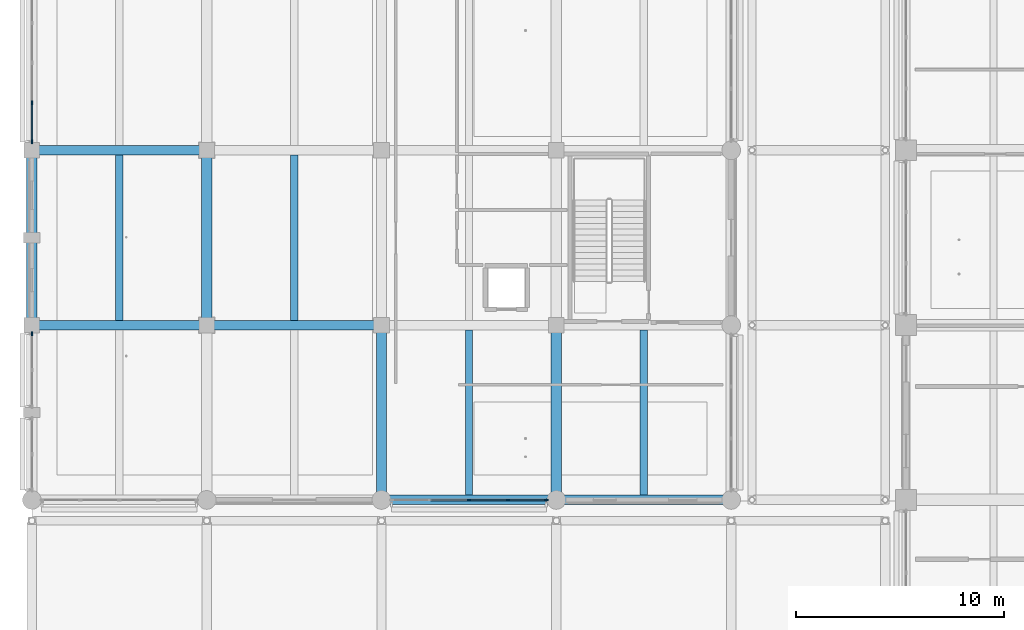
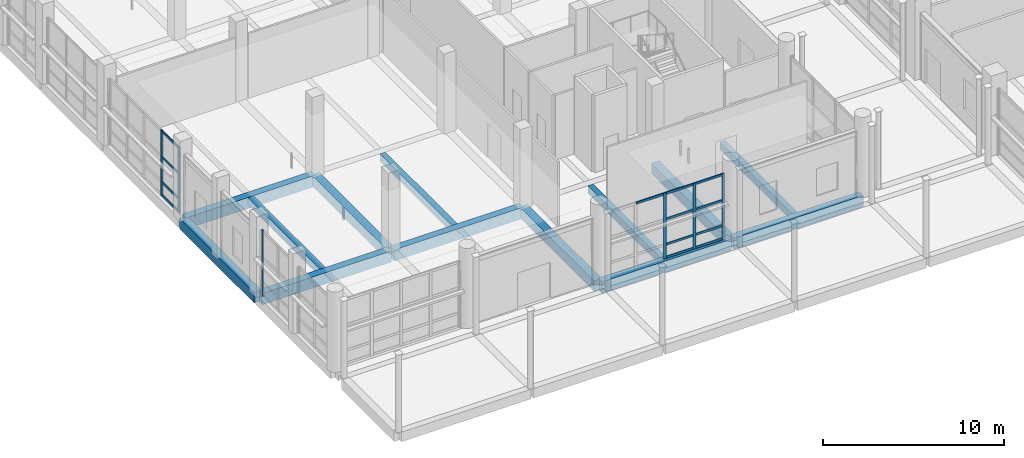
# One storey, part 18 of 140: 19 members, 13 beams, 3 elements without a shape of their own.
"""IFC4 building model written with IfcOpenShell, lengths in metres."""

from ifc_helpers import new_model, si_unit, direction, frame, origin, origin_2d, place, context, subcontext, project, spatial, rectangle, extrude, material, layer, layer_set, material_profile, profile_set, type_object, element, aggregate, save


model = new_model("IFC4")

# Units and contexts
model_context = context("Model", 3, precision=1e-05, world=origin(), true_north=direction((0.0, 1.0)))
body_context = subcontext(model_context, "Body", "Model", "MODEL_VIEW")
ifc_project = project(units=[si_unit("LENGTHUNIT", "METRE"), si_unit("AREAUNIT", "SQUARE_METRE"), si_unit("VOLUMEUNIT", "CUBIC_METRE"), si_unit("PLANEANGLEUNIT", "RADIAN"), si_unit("MASSUNIT", "GRAM", prefix="KILO")], contexts=[model_context])

# Site, building, storey
site_placement = place(None, origin())
site = spatial("IfcSite", under=ifc_project, at=site_placement, CompositionType="ELEMENT")
building_placement = place(site_placement, origin())
building = spatial("IfcBuilding", under=site, at=building_placement, Name="Telukmera Botanical Conservatory", CompositionType="ELEMENT")
storey_placement = place(building_placement, origin())
storey = spatial("IfcBuildingStorey", under=building, at=storey_placement, Name="L00", CompositionType="ELEMENT", Elevation=0.0)

# Beams
ifc_material_1 = material(Name="Concrete C40/50", Category="concrete")
ifc_material_profile_1 = material_profile(ifc_material_1, rectangle(XDim=0.5, YDim=0.699951171875, at=origin_2d()), Name="RC 500x700")
ifc_profile_set_1 = profile_set([ifc_material_profile_1], Name="Concrete C40/50")
beam_type_1 = type_object("IfcBeamType", Name="Beam_B14", PredefinedType="BEAM", material=ifc_profile_set_1)
for number, where, z_axis, x_axis, name in (
    (1, (8.39990234375, 26.080078125, -0.35009765625), (0.0, 1.0, 0.0), (-1.0, 0.0, 0.0), "Visitor Wing Transverse Beam L00"),
    (2, (16.800048828125, 26.080078125, -0.35009765625), (0.0, 1.0, 0.0), (-1.0, 0.0, 0.0), "Visitor Wing Transverse Beam L00"),
    (3, (25.199951171875, 17.679931640625, -0.35009765625), (0.0, 1.0, 0.0), (-1.0, 0.0, 0.0), "Visitor Wing Transverse Beam L00"),
    (4, (33.60009765625, 17.679931640625, -0.35009765625), (0.0, 1.0, 0.0), (-1.0, 0.0, 0.0), "Visitor Wing Transverse Beam L00"),
):
    element("IfcBeam", number, at=place(storey_placement, frame(where, z_axis=z_axis, x_axis=x_axis)), inside=storey, type_object=beam_type_1, Name=name, PredefinedType="BEAM", context=body_context, shape_type="SweptSolid", body=[
        extrude(rectangle(XDim=0.5, YDim=0.699951171875, at=origin_2d()), origin(), (0.0, 0.0, 1.0), 8.239990234375),
    ])
ifc_material_profile_2 = material_profile(ifc_material_1, rectangle(XDim=0.35009765625, YDim=0.5, at=origin_2d()), Name="RC 350x500")
ifc_profile_set_2 = profile_set([ifc_material_profile_2], Name="Concrete C40/50")
beam_type_2 = type_object("IfcBeamType", Name="Beam_B22", PredefinedType="JOIST", material=ifc_profile_set_2)
for number, where, z_axis, x_axis, name in (
    (5, (12.60009765625, 26.22509765625, -0.25), (0.0, 1.0, 0.0), (-1.0, 0.0, 0.0), "Visitor Wing Floor Joist L00"),
    (6, (21.0, 26.22509765625, -0.25), (0.0, 1.0, 0.0), (-1.0, 0.0, 0.0), "Visitor Wing Floor Joist L00"),
    (7, (29.39990234375, 17.824951171875, -0.25), (0.0, 1.0, 0.0), (-1.0, 0.0, 0.0), "Visitor Wing Floor Joist L00"),
    (8, (37.800048828125, 17.824951171875, -0.25), (0.0, 1.0, 0.0), (-1.0, 0.0, 0.0), "Visitor Wing Floor Joist L00"),
):
    element("IfcBeam", number, at=place(storey_placement, frame(where, z_axis=z_axis, x_axis=x_axis)), inside=storey, type_object=beam_type_2, Name=name, PredefinedType="JOIST", context=body_context, shape_type="SweptSolid", body=[
        extrude(rectangle(XDim=0.35009765625, YDim=0.5, at=origin_2d()), origin(), (0.0, 0.0, 1.0), 7.949951171875),
    ])
ifc_material_profile_3 = material_profile(ifc_material_1, rectangle(XDim=0.449951171875, YDim=0.75, at=origin_2d()), Name="RC 450x750")
ifc_profile_set_3 = profile_set([ifc_material_profile_3], Name="Concrete C40/50")
beam_type_3 = type_object("IfcBeamType", Name="Beam_B6", PredefinedType="BEAM", material=ifc_profile_set_3)
for number, where, z_axis, x_axis, name in (
    (9, (25.280029296875, 17.60009765625, -0.375), (1.0, 0.0, 0.0), (0.0, 1.0, 0.0), "Visitor Wing Grid Beam L00"),
    (10, (33.679931640625, 17.60009765625, -0.375), (1.0, 0.0, 0.0), (0.0, 1.0, 0.0), "Visitor Wing Grid Beam L00"),
    (11, (8.47998046875, 26.0, -0.375), (1.0, 0.0, 0.0), (0.0, 1.0, 0.0), "Visitor Wing Grid Beam L00"),
):
    element("IfcBeam", number, at=place(storey_placement, frame(where, z_axis=z_axis, x_axis=x_axis)), inside=storey, type_object=beam_type_3, Name=name, PredefinedType="BEAM", context=body_context, shape_type="SweptSolid", body=[
        extrude(rectangle(XDim=0.449951171875, YDim=0.75, at=origin_2d()), origin(), (0.0, 0.0, 1.0), 8.239990234375),
    ])
beam_1_placement = place(storey_placement, frame((16.8798828125, 26.0, -0.375), z_axis=(1.0, 0.0, 0.0), x_axis=(0.0, 1.0, 0.0)))
element("IfcBeam", 12, at=beam_1_placement, inside=storey, type_object=beam_type_3, Name="Visitor Wing Grid Beam L00", PredefinedType="BEAM", context=body_context, shape_type="SweptSolid", body=[
    extrude(rectangle(XDim=0.449951171875, YDim=0.75, at=origin_2d()), origin(), (0.0, 0.0, 1.0), 8.240234375),
])
beam_2_placement = place(storey_placement, frame((8.47998046875, 34.39990234375, -0.375), z_axis=(1.0, 0.0, 0.0), x_axis=(0.0, 1.0, 0.0)))
element("IfcBeam", 13, at=beam_2_placement, inside=storey, type_object=beam_type_3, Name="Visitor Wing Grid Beam L00", PredefinedType="BEAM", context=body_context, shape_type="SweptSolid", body=[
    extrude(rectangle(XDim=0.449951171875, YDim=0.75, at=origin_2d()), origin(), (0.0, 0.0, 1.0), 8.239990234375),
])

# Curtain wall, members
ifc_material_2 = material(Name="Anodised aluminium 6063-T6", Category="aluminium")
ifc_layer = layer(ifc_material_2, 0.179931640625)
ifc_layer_set = layer_set([ifc_layer], Name="Anodised aluminium 6063-T6")
curtain_wall_type = type_object("IfcCurtainWallType", Name="Visitor Colonnade Ground Curtain Wall 1800 Mod", PredefinedType="USERDEFINED", material=ifc_layer_set)
curtain_wall_1_placement = place(storey_placement, origin())
curtain_wall_1 = element("IfcCurtainWall", 14, at=curtain_wall_1_placement, inside=storey, type_object=curtain_wall_type, Name="Unitised Curtain Wall CW06 V3:L00:S3", ObjectType="UNITISED CURTAIN WALL", PredefinedType="USERDEFINED")
ifc_material_profile_4 = material_profile(ifc_material_2, rectangle(XDim=0.070068359375, YDim=0.179931640625, at=origin_2d()), Name="ALU MULL 70x180")
ifc_profile_set_4 = profile_set([ifc_material_profile_4], Name="Anodised aluminium 6063-T6")
member_type_1 = type_object("IfcMemberType", Name="Curtain Wall Extruded Mullion 70x180", PredefinedType="MULLION", material=ifc_profile_set_4)
member_1_placement = place(storey_placement, frame((29.39990234375, 17.60009765625, 0.0), z_axis=(0.0, 0.0, 1.0), x_axis=(0.0, 1.0, 0.0)))
member_1 = element("IfcMember", 15, at=member_1_placement, type_object=member_type_1, Name="CW06 mullion 3", PredefinedType="MULLION", context=body_context, shape_type="SweptSolid", body=[
    extrude(rectangle(XDim=0.070068359375, YDim=0.179931640625, at=origin_2d()), origin(), (0.0, 0.0, 1.0), 4.449951171875),
])
member_2_placement = place(storey_placement, frame((31.27392578125, 17.60009765625, 0.0), z_axis=(0.0, 0.0, 1.0), x_axis=(0.0, 1.0, 0.0)))
member_2 = element("IfcMember", 16, at=member_2_placement, type_object=member_type_1, Name="CW06 mullion 4", PredefinedType="MULLION", context=body_context, shape_type="SweptSolid", body=[
    extrude(rectangle(XDim=0.070068359375, YDim=0.179931640625, at=origin_2d()), origin(), (0.0, 0.0, 1.0), 4.449951171875),
])
member_3_placement = place(storey_placement, frame((33.113037109375, 17.60009765625, 0.0), z_axis=(0.0, 0.0, 1.0), x_axis=(0.0, 1.0, 0.0)))
member_3 = element("IfcMember", 17, at=member_3_placement, type_object=member_type_1, Name="CW06 mullion 5", PredefinedType="MULLION", context=body_context, shape_type="SweptSolid", body=[
    extrude(rectangle(XDim=0.070068359375, YDim=0.179931640625, at=origin_2d()), origin(), (0.0, 0.0, 1.0), 4.449951171875),
])

# Curtain wall, member
curtain_wall_2_placement = place(storey_placement, origin())
curtain_wall_2 = element("IfcCurtainWall", 18, at=curtain_wall_2_placement, inside=storey, type_object=curtain_wall_type, Name="Unitised Curtain Wall CW06 V3:L00:W1B", ObjectType="UNITISED CURTAIN WALL", PredefinedType="USERDEFINED")
member_4_placement = place(storey_placement, frame((8.39990234375, 25.587890625, 0.0), z_axis=(0.0, 0.0, 1.0), x_axis=(-1.0, 0.0, 0.0)))
member_4 = element("IfcMember", 19, at=member_4_placement, type_object=member_type_1, Name="CW06 mullion 3", PredefinedType="MULLION", context=body_context, shape_type="SweptSolid", body=[
    extrude(rectangle(XDim=0.070068359375, YDim=0.179931640625, at=origin_2d()), origin(), (0.0, 0.0, 1.0), 4.449951171875),
])
aggregate(curtain_wall_2, [member_4])

# Curtain wall, members
curtain_wall_3_placement = place(storey_placement, origin())
curtain_wall_3 = element("IfcCurtainWall", 20, at=curtain_wall_3_placement, inside=storey, type_object=curtain_wall_type, Name="Unitised Curtain Wall CW06 V3:L00:W3", ObjectType="UNITISED CURTAIN WALL", PredefinedType="USERDEFINED")
member_5_placement = place(storey_placement, frame((8.39990234375, 34.81201171875, 0.0), z_axis=(0.0, 0.0, 1.0), x_axis=(-1.0, 0.0, 0.0)))
member_5 = element("IfcMember", 21, at=member_5_placement, type_object=member_type_1, Name="CW06 mullion 1", PredefinedType="MULLION", context=body_context, shape_type="SweptSolid", body=[
    extrude(rectangle(XDim=0.070068359375, YDim=0.179931640625, at=origin_2d()), origin(), (0.0, 0.0, 1.0), 4.449951171875),
])
member_6_placement = place(storey_placement, frame((8.39990234375, 36.6884765625, 0.0), z_axis=(0.0, 0.0, 1.0), x_axis=(-1.0, 0.0, 0.0)))
member_6 = element("IfcMember", 22, at=member_6_placement, type_object=member_type_1, Name="CW06 mullion 2", PredefinedType="MULLION", context=body_context, shape_type="SweptSolid", body=[
    extrude(rectangle(XDim=0.070068359375, YDim=0.179931640625, at=origin_2d()), origin(), (0.0, 0.0, 1.0), 4.449951171875),
])

# Member
ifc_material_profile_5 = material_profile(ifc_material_2, rectangle(XDim=0.070068359375, YDim=0.14990234375, at=origin_2d()), Name="ALU TRAN 70x150")
ifc_profile_set_5 = profile_set([ifc_material_profile_5], Name="Anodised aluminium 6063-T6")
member_type_2 = type_object("IfcMemberType", Name="Curtain Wall Extruded Transom 70x150", PredefinedType="USERDEFINED", material=ifc_profile_set_5)
member_7_placement = place(storey_placement, frame((27.56103515625, 17.60009765625, 4.375), z_axis=(1.0, 0.0, 0.0), x_axis=(0.0, 1.0, 0.0)))
member_7 = element("IfcMember", 23, at=member_7_placement, type_object=member_type_2, Name="CW06 transom 2.4", ObjectType="TRANSOM", PredefinedType="USERDEFINED", context=body_context, shape_type="SweptSolid", body=[
    extrude(rectangle(XDim=0.070068359375, YDim=0.14990234375, at=origin_2d()), origin(), (0.0, 0.0, 1.0), 1.803955078125),
])

member_8_placement = place(storey_placement, frame((29.43505859375, 17.60009765625, 0.074951171875), z_axis=(1.0, 0.0, 0.0), x_axis=(0.0, 1.0, 0.0)))
member_8 = element("IfcMember", 24, at=member_8_placement, type_object=member_type_2, Name="CW06 transom 3.1", ObjectType="TRANSOM", PredefinedType="USERDEFINED", context=body_context, shape_type="SweptSolid", body=[
    extrude(rectangle(XDim=0.070068359375, YDim=0.14990234375, at=origin_2d()), origin(), (0.0, 0.0, 1.0), 1.803955078125),
])

member_9_placement = place(storey_placement, frame((29.43505859375, 17.60009765625, 0.949951171875), z_axis=(1.0, 0.0, 0.0), x_axis=(0.0, 1.0, 0.0)))
member_9 = element("IfcMember", 25, at=member_9_placement, type_object=member_type_2, Name="CW06 transom 3.2", ObjectType="TRANSOM", PredefinedType="USERDEFINED", context=body_context, shape_type="SweptSolid", body=[
    extrude(rectangle(XDim=0.070068359375, YDim=0.14990234375, at=origin_2d()), origin(), (0.0, 0.0, 1.0), 1.803955078125),
])

member_10_placement = place(storey_placement, frame((29.43505859375, 17.60009765625, 2.64990234375), z_axis=(1.0, 0.0, 0.0), x_axis=(0.0, 1.0, 0.0)))
member_10 = element("IfcMember", 26, at=member_10_placement, type_object=member_type_2, Name="CW06 transom 3.3", ObjectType="TRANSOM", PredefinedType="USERDEFINED", context=body_context, shape_type="SweptSolid", body=[
    extrude(rectangle(XDim=0.070068359375, YDim=0.14990234375, at=origin_2d()), origin(), (0.0, 0.0, 1.0), 1.803955078125),
])

member_11_placement = place(storey_placement, frame((29.43505859375, 17.60009765625, 4.375), z_axis=(1.0, 0.0, 0.0), x_axis=(0.0, 1.0, 0.0)))
member_11 = element("IfcMember", 27, at=member_11_placement, type_object=member_type_2, Name="CW06 transom 3.4", ObjectType="TRANSOM", PredefinedType="USERDEFINED", context=body_context, shape_type="SweptSolid", body=[
    extrude(rectangle(XDim=0.070068359375, YDim=0.14990234375, at=origin_2d()), origin(), (0.0, 0.0, 1.0), 1.803955078125),
])

member_12_placement = place(storey_placement, frame((31.30908203125, 17.60009765625, 0.074951171875), z_axis=(1.0, 0.0, 0.0), x_axis=(0.0, 1.0, 0.0)))
member_12 = element("IfcMember", 28, at=member_12_placement, type_object=member_type_2, Name="CW06 transom 4.1", ObjectType="TRANSOM", PredefinedType="USERDEFINED", context=body_context, shape_type="SweptSolid", body=[
    extrude(rectangle(XDim=0.070068359375, YDim=0.14990234375, at=origin_2d()), origin(), (0.0, 0.0, 1.0), 1.768798828125),
])

member_13_placement = place(storey_placement, frame((31.30908203125, 17.60009765625, 0.949951171875), z_axis=(1.0, 0.0, 0.0), x_axis=(0.0, 1.0, 0.0)))
member_13 = element("IfcMember", 29, at=member_13_placement, type_object=member_type_2, Name="CW06 transom 4.2", ObjectType="TRANSOM", PredefinedType="USERDEFINED", context=body_context, shape_type="SweptSolid", body=[
    extrude(rectangle(XDim=0.070068359375, YDim=0.14990234375, at=origin_2d()), origin(), (0.0, 0.0, 1.0), 1.768798828125),
])

member_14_placement = place(storey_placement, frame((31.30908203125, 17.60009765625, 2.64990234375), z_axis=(1.0, 0.0, 0.0), x_axis=(0.0, 1.0, 0.0)))
member_14 = element("IfcMember", 30, at=member_14_placement, type_object=member_type_2, Name="CW06 transom 4.3", ObjectType="TRANSOM", PredefinedType="USERDEFINED", context=body_context, shape_type="SweptSolid", body=[
    extrude(rectangle(XDim=0.070068359375, YDim=0.14990234375, at=origin_2d()), origin(), (0.0, 0.0, 1.0), 1.768798828125),
])

member_15_placement = place(storey_placement, frame((31.30908203125, 17.60009765625, 4.375), z_axis=(1.0, 0.0, 0.0), x_axis=(0.0, 1.0, 0.0)))
member_15 = element("IfcMember", 31, at=member_15_placement, type_object=member_type_2, Name="CW06 transom 4.4", ObjectType="TRANSOM", PredefinedType="USERDEFINED", context=body_context, shape_type="SweptSolid", body=[
    extrude(rectangle(XDim=0.070068359375, YDim=0.14990234375, at=origin_2d()), origin(), (0.0, 0.0, 1.0), 1.768798828125),
])

aggregate(curtain_wall_1, [member_1, member_2, member_3, member_7, member_8, member_9, member_10, member_11, member_12, member_13, member_14, member_15])

member_16_placement = place(storey_placement, frame((8.39990234375, 34.846923828125, 0.074951171875), z_axis=(0.0, 1.0, 0.0), x_axis=(-1.0, 0.0, 0.0)))
member_16 = element("IfcMember", 32, at=member_16_placement, type_object=member_type_2, Name="CW06 transom 1.1", ObjectType="TRANSOM", PredefinedType="USERDEFINED", context=body_context, shape_type="SweptSolid", body=[
    extrude(rectangle(XDim=0.070068359375, YDim=0.14990234375, at=origin_2d()), origin(), (0.0, 0.0, 1.0), 1.806640625),
])

member_17_placement = place(storey_placement, frame((8.39990234375, 34.846923828125, 0.949951171875), z_axis=(0.0, 1.0, 0.0), x_axis=(-1.0, 0.0, 0.0)))
member_17 = element("IfcMember", 33, at=member_17_placement, type_object=member_type_2, Name="CW06 transom 1.2", ObjectType="TRANSOM", PredefinedType="USERDEFINED", context=body_context, shape_type="SweptSolid", body=[
    extrude(rectangle(XDim=0.070068359375, YDim=0.14990234375, at=origin_2d()), origin(), (0.0, 0.0, 1.0), 1.806640625),
])

member_18_placement = place(storey_placement, frame((8.39990234375, 34.846923828125, 2.64990234375), z_axis=(0.0, 1.0, 0.0), x_axis=(-1.0, 0.0, 0.0)))
member_18 = element("IfcMember", 34, at=member_18_placement, type_object=member_type_2, Name="CW06 transom 1.3", ObjectType="TRANSOM", PredefinedType="USERDEFINED", context=body_context, shape_type="SweptSolid", body=[
    extrude(rectangle(XDim=0.070068359375, YDim=0.14990234375, at=origin_2d()), origin(), (0.0, 0.0, 1.0), 1.806640625),
])

member_19_placement = place(storey_placement, frame((8.39990234375, 34.846923828125, 4.375), z_axis=(0.0, 1.0, 0.0), x_axis=(-1.0, 0.0, 0.0)))
member_19 = element("IfcMember", 35, at=member_19_placement, type_object=member_type_2, Name="CW06 transom 1.4", ObjectType="TRANSOM", PredefinedType="USERDEFINED", context=body_context, shape_type="SweptSolid", body=[
    extrude(rectangle(XDim=0.070068359375, YDim=0.14990234375, at=origin_2d()), origin(), (0.0, 0.0, 1.0), 1.806640625),
])

aggregate(curtain_wall_3, [member_5, member_6, member_16, member_17, member_18, member_19])

save(model, "model.ifc")
